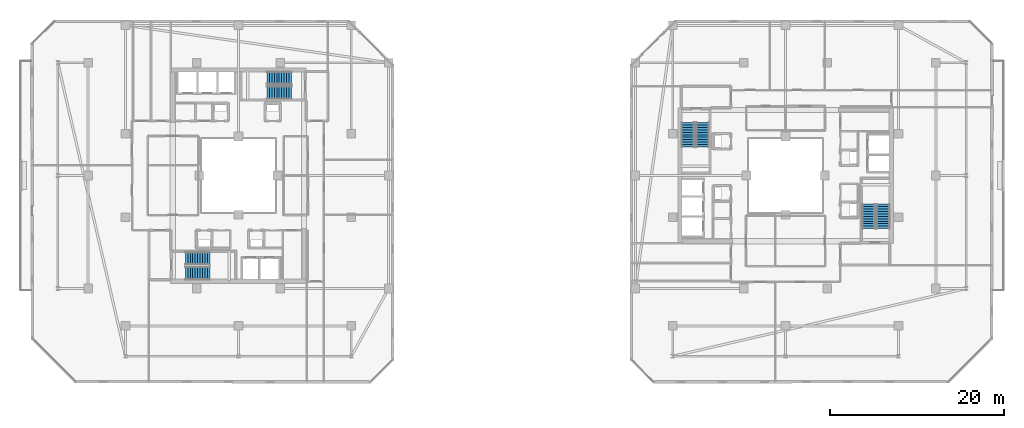
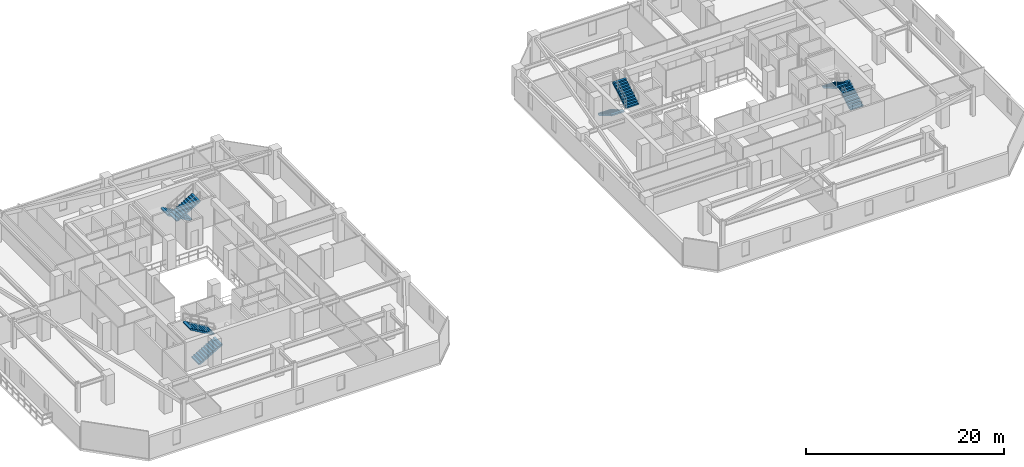
# One storey, part 26 of 32: 8 stair flights, 4 elements without a shape of their own.
"""IFC4 building model written with IfcOpenShell, lengths in metres."""

import ifcopenshell
import ifcopenshell.guid

model = None  # the IFC model being written
_history = None  # IfcOwnerHistory: only IFC2X3 demands one
_inside = {}  # id of a spatial element -> (the spatial element, [elements in it])
_under = {}  # id of a project, library or spatial element -> (it, [spatial elements below it])
_declared = {}  # id of a project -> (the project, [libraries it declares])
_typed = {}  # id of a type object -> (the type object, [elements of that type])
_made_of = {}  # id of a material, layer set ... -> (it, [elements and type objects made of it])


def new_model(schema):
    """Start an empty IFC model of exactly this schema.

    Asked for "IFC4X3", IfcOpenShell would pick the latest addendum, in which some entities
    have other attributes; the version numbers below select the first issue.
    IFC2X3 requires an IfcOwnerHistory on every rooted entity: one is made here for all.
    """
    global model, _history
    if schema == "IFC4X3":
        model = ifcopenshell.file(schema_version=(4, 3, 0, 0))
    else:
        model = ifcopenshell.file(schema=schema)
    _inside.clear()
    _under.clear()
    _declared.clear()
    _typed.clear()
    _made_of.clear()
    _history = None
    if model.schema == "IFC2X3":
        org = make("IfcOrganization", Name="unknown")
        user = make(
            "IfcPersonAndOrganization",
            ThePerson=make("IfcPerson", FamilyName="unknown"),
            TheOrganization=org,
        )
        app = make(
            "IfcApplication",
            ApplicationDeveloper=org,
            Version="unknown",
            ApplicationFullName="unknown",
            ApplicationIdentifier="unknown",
        )
        _history = make(
            "IfcOwnerHistory",
            OwningUser=user,
            OwningApplication=app,
            ChangeAction="ADDED",
            CreationDate=0,
        )
    return model


def make(cls, **values):
    """One entity of the class cls with the attributes given. An attribute that is None is left unset."""
    return model.create_entity(
        cls, **{name: value for name, value in values.items() if value is not None}
    )


def rooted(cls, **values):
    """An entity with a GlobalId (a new one), such as an element, a storey or a relation."""
    return make(cls, GlobalId=ifcopenshell.guid.new(), OwnerHistory=_history, **values)


def si_unit(unit_type, name, prefix=None):
    """IfcSIUnit, for example si_unit("LENGTHUNIT", "METRE", prefix="MILLI")."""
    return make("IfcSIUnit", UnitType=unit_type, Prefix=prefix, Name=name)


def assignment(units):
    """IfcUnitAssignment: the units of a project."""
    return None if units is None else make("IfcUnitAssignment", Units=units)


def point(xyz):
    """IfcCartesianPoint."""
    return None if xyz is None else make("IfcCartesianPoint", Coordinates=xyz)


def direction(xyz):
    """IfcDirection."""
    return None if xyz is None else make("IfcDirection", DirectionRatios=xyz)


def frame(location, z_axis=None, x_axis=None):
    """IfcAxis2Placement3D, a coordinate frame: its origin and axes. An axis left out is left unset."""
    return make(
        "IfcAxis2Placement3D",
        Location=point(location),
        Axis=direction(z_axis),
        RefDirection=direction(x_axis),
    )


def origin():
    """The frame at (0, 0, 0) with its axes left unset."""
    return frame((0.0, 0.0, 0.0))


def place(relative_to, where):
    """IfcLocalPlacement: puts the frame where relative to a parent placement (None: the world)."""
    return make(
        "IfcLocalPlacement", PlacementRelTo=relative_to, RelativePlacement=where
    )


def context(
    kind, dimensions, precision=None, world=None, true_north=None, identifier=None
):
    """IfcGeometricRepresentationContext, for example the 3D "Model" context."""
    return make(
        "IfcGeometricRepresentationContext",
        ContextIdentifier=identifier,
        ContextType=kind,
        CoordinateSpaceDimension=dimensions,
        Precision=precision,
        WorldCoordinateSystem=world,
        TrueNorth=true_north,
    )


def subcontext(parent, identifier, kind, view, scale=None):
    """IfcGeometricRepresentationSubContext, for example "Body" below "Model"."""
    return make(
        "IfcGeometricRepresentationSubContext",
        ContextIdentifier=identifier,
        ContextType=kind,
        ParentContext=parent,
        TargetScale=scale,
        TargetView=view,
    )


def project(units=None, contexts=None):
    """IfcProject with its units and contexts."""
    return rooted(
        "IfcProject",
        Name="project",
        RepresentationContexts=contexts,
        UnitsInContext=assignment(units),
    )


def spatial(cls, under=None, at=None, **own):
    """A site, building, storey or space (cls), placed at a placement, below another one or the project."""
    s = rooted(cls, ObjectPlacement=at, **own)
    if under is not None:
        _under.setdefault(under.id(), (under, []))[1].append(s)
    return s


def polyline(points):
    """IfcPolyline through the points."""
    return make("IfcPolyline", Points=[point(p) for p in points])


def outline(outer, holes=None, kind="AREA"):
    """IfcArbitraryClosedProfileDef: a profile drawn as a closed curve; with holes, ...WithVoids."""
    if holes is None:
        return make("IfcArbitraryClosedProfileDef", ProfileType=kind, OuterCurve=outer)
    return make(
        "IfcArbitraryProfileDefWithVoids",
        ProfileType=kind,
        OuterCurve=outer,
        InnerCurves=holes,
    )


def extrude(swept, where, along, depth):
    """IfcExtrudedAreaSolid: the profile swept, set in the frame where, extruded along a direction by depth."""
    return make(
        "IfcExtrudedAreaSolid",
        SweptArea=swept,
        Position=where,
        ExtrudedDirection=direction(along),
        Depth=depth,
    )


def shape(context_of_items, identifier, shape_type, items):
    """IfcShapeRepresentation: the items that make up one representation, for example the "Body"."""
    return make(
        "IfcShapeRepresentation",
        ContextOfItems=context_of_items,
        RepresentationIdentifier=identifier,
        RepresentationType=shape_type,
        Items=items,
    )


def material(Name=None, Category=None):
    """IfcMaterial."""
    return make("IfcMaterial", Name=Name, Category=Category)


def made_of(thing, what):
    """Note that an element or type object is made of a material, layer set ...; save() writes the relation."""
    if what is not None:
        _made_of.setdefault(what.id(), (what, []))[1].append(thing)
    return thing


def type_object(cls, material=None, **own):
    """A type object (cls), such as IfcWallType, which elements share."""
    return made_of(rooted(cls, **own), material)


def element(
    cls,
    number,
    at=None,
    inside=None,
    cuts=None,
    type_object=None,
    material=None,
    context=None,
    identifier="Body",
    shape_type=None,
    held_by="IfcProductDefinitionShape",
    body=None,
    shapes=None,
    **own,
):
    """One element of the class cls, such as IfcWall. Its Tag is "e" and its number.

    at: its placement. inside: the storey or other place that contains it. cuts: it is an
    opening in that element (IfcRelVoidsElement). A single representation is given by context,
    identifier, shape_type and body (its items); several are given by shapes. held_by: the class
    of the entity that holds the representations. save() writes the other relations.
    """
    e = rooted(cls, Tag="e%d" % number, ObjectPlacement=at, **own)
    if body is not None:
        shapes = [shape(context, identifier, shape_type, body)]
    if shapes is not None:
        e.Representation = make(held_by, Representations=shapes)
    if inside is not None:
        _inside.setdefault(inside.id(), (inside, []))[1].append(e)
    if cuts is not None:
        rooted(
            "IfcRelVoidsElement", RelatingBuildingElement=cuts, RelatedOpeningElement=e
        )
    if type_object is not None:
        _typed.setdefault(type_object.id(), (type_object, []))[1].append(e)
    return made_of(e, material)


def aggregate(whole, parts):
    """IfcRelAggregates: a whole, such as a stair, and the parts it consists of."""
    return rooted("IfcRelAggregates", RelatingObject=whole, RelatedObjects=parts)


def save(model, path):
    """Write the relations noted so far, then the file.

    IfcRelAggregates (storeys below a building ...), IfcRelContainedInSpatialStructure (elements
    in a storey), IfcRelDefinesByType, IfcRelAssociatesMaterial and IfcRelDeclares: one each for
    every whole, place, type object, material and project.
    """
    for whole, parts in _under.values():
        aggregate(whole, parts)
    for where, things in _inside.values():
        rooted(
            "IfcRelContainedInSpatialStructure",
            RelatedElements=things,
            RelatingStructure=where,
        )
    for kind, things in _typed.values():
        rooted("IfcRelDefinesByType", RelatedObjects=things, RelatingType=kind)
    for what, things in _made_of.values():
        rooted("IfcRelAssociatesMaterial", RelatedObjects=things, RelatingMaterial=what)
    for by, libraries in _declared.values():
        rooted("IfcRelDeclares", RelatingContext=by, RelatedDefinitions=libraries)
    model.write(path)


model = new_model("IFC4")

# Units and contexts
model_context = context("Model", 3, precision=1e-05, world=origin(), true_north=direction((0.0, 1.0)))
body_context = subcontext(model_context, "Body", "Model", "MODEL_VIEW")
ifc_project = project(units=[si_unit("LENGTHUNIT", "METRE"), si_unit("AREAUNIT", "SQUARE_METRE"), si_unit("VOLUMEUNIT", "CUBIC_METRE"), si_unit("PLANEANGLEUNIT", "RADIAN"), si_unit("MASSUNIT", "GRAM", prefix="KILO")], contexts=[model_context])

# Site, building, storey
site_placement = place(None, origin())
site = spatial("IfcSite", under=ifc_project, at=site_placement, CompositionType="ELEMENT")
building_placement = place(site_placement, origin())
building = spatial("IfcBuilding", under=site, at=building_placement, Name="Thornwick Lancets Civic Towers", CompositionType="ELEMENT")
storey_placement = place(building_placement, frame((0.0, 0.0, 243.89990234375)))
storey = spatial("IfcBuildingStorey", under=building, at=storey_placement, Name="L65", CompositionType="ELEMENT", Elevation=243.89990234375)

# Stair, stair flights
ifc_material = material(Name="Concrete C40/50", Category="concrete")
stair_type = type_object("IfcStairType", Name="STAIR_DL_3600", PredefinedType="HALF_TURN_STAIR", material=ifc_material)
stair_1_placement = place(storey_placement, origin())
stair_1 = element("IfcStair", 1, at=stair_1_placement, inside=storey, type_object=stair_type, Name="L65 Tower A South Exit Stair ST-A1", PredefinedType="HALF_TURN_STAIR")
stair_flight_type = type_object("IfcStairFlightType", Name="FLIGHT_3600", PredefinedType="STRAIGHT", material=ifc_material)
stair_flight_1_placement = place(storey_placement, frame((19.39990234375, 15.75, 0.0), z_axis=(0.0, 0.0, 1.0), x_axis=(1.0, 0.0, 0.0)))
stair_flight_1 = element("IfcStairFlight", 2, at=stair_flight_1_placement, type_object=stair_flight_type, Name="ST-A1 flight 1", NumberOfRisers=11, NumberOfTreads=10, PredefinedType="STRAIGHT", RiserHeight=0.163636364, TreadLength=0.28, context=body_context, shape_type="SweptSolid", body=[
    extrude(outline(polyline([(0.0, 0.0), (0.0, 0.16357421875), (0.280029296875, 0.16357421875), (0.280029296875, 0.327392578125), (0.56005859375, 0.327392578125), (0.56005859375, 0.490966796875), (0.840087890625, 0.490966796875), (0.840087890625, 0.654541015625), (1.1201171875, 0.654541015625), (1.1201171875, 0.818115234375), (1.39990234375, 0.818115234375), (1.39990234375, 0.98193359375), (1.679931640625, 0.98193359375), (1.679931640625, 1.1455078125), (1.9599609375, 1.1455078125), (1.9599609375, 1.30908203125), (2.239990234375, 1.30908203125), (2.239990234375, 1.47265625), (2.52001953125, 1.47265625), (2.52001953125, 1.636474609375), (2.800048828125, 1.636474609375), (2.800048828125, 1.800048828125), (2.800048828125, 1.462646484375), (0.297119140625, 0.0), (0.0, 0.0)])), frame((0.0, 0.75, 0.0), z_axis=(0.0, -1.0, 0.0), x_axis=(1.0, 0.0, 0.0)), (0.0, 0.0, 1.0), 1.5),
])
stair_flight_2_placement = place(storey_placement, frame((22.199951171875, 17.449951171875, 1.800048828125), z_axis=(0.0, 0.0, 1.0), x_axis=(-1.0, 0.0, 0.0)))
stair_flight_2 = element("IfcStairFlight", 3, at=stair_flight_2_placement, type_object=stair_flight_type, Name="ST-A1 flight 2", NumberOfRisers=11, NumberOfTreads=10, PredefinedType="STRAIGHT", RiserHeight=0.163636364, TreadLength=0.28, context=body_context, shape_type="SweptSolid", body=[
    extrude(outline(polyline([(0.0, 0.0), (0.0, 0.16357421875), (0.280029296875, 0.16357421875), (0.280029296875, 0.327392578125), (0.56005859375, 0.327392578125), (0.56005859375, 0.490966796875), (0.840087890625, 0.490966796875), (0.840087890625, 0.654541015625), (1.1201171875, 0.654541015625), (1.1201171875, 0.818115234375), (1.39990234375, 0.818115234375), (1.39990234375, 0.98193359375), (1.679931640625, 0.98193359375), (1.679931640625, 1.1455078125), (1.9599609375, 1.1455078125), (1.9599609375, 1.30908203125), (2.239990234375, 1.30908203125), (2.239990234375, 1.47265625), (2.52001953125, 1.47265625), (2.52001953125, 1.636474609375), (2.800048828125, 1.636474609375), (2.800048828125, 1.800048828125), (2.800048828125, 1.462646484375), (0.297119140625, 0.0), (0.0, 0.0)])), frame((0.0, 0.75, 0.0), z_axis=(0.0, -1.0, 0.0), x_axis=(1.0, 0.0, 0.0)), (0.0, 0.0, 1.0), 1.5),
])
aggregate(stair_1, [stair_flight_1, stair_flight_2])

stair_2_placement = place(storey_placement, origin())
stair_2 = element("IfcStair", 4, at=stair_2_placement, inside=storey, type_object=stair_type, Name="L65 Tower A North Exit Stair ST-A2", PredefinedType="HALF_TURN_STAIR")
stair_flight_3_placement = place(storey_placement, frame((31.60009765625, 38.25, 0.0), z_axis=(0.0, 0.0, 1.0), x_axis=(-1.0, 0.0, 0.0)))
stair_flight_3 = element("IfcStairFlight", 5, at=stair_flight_3_placement, type_object=stair_flight_type, Name="ST-A2 flight 1", NumberOfRisers=11, NumberOfTreads=10, PredefinedType="STRAIGHT", RiserHeight=0.163636364, TreadLength=0.28, context=body_context, shape_type="SweptSolid", body=[
    extrude(outline(polyline([(0.0, 0.0), (0.0, 0.16357421875), (0.280029296875, 0.16357421875), (0.280029296875, 0.327392578125), (0.56005859375, 0.327392578125), (0.56005859375, 0.490966796875), (0.840087890625, 0.490966796875), (0.840087890625, 0.654541015625), (1.1201171875, 0.654541015625), (1.1201171875, 0.818115234375), (1.39990234375, 0.818115234375), (1.39990234375, 0.98193359375), (1.679931640625, 0.98193359375), (1.679931640625, 1.1455078125), (1.9599609375, 1.1455078125), (1.9599609375, 1.30908203125), (2.239990234375, 1.30908203125), (2.239990234375, 1.47265625), (2.52001953125, 1.47265625), (2.52001953125, 1.636474609375), (2.800048828125, 1.636474609375), (2.800048828125, 1.800048828125), (2.800048828125, 1.462646484375), (0.297119140625, 0.0), (0.0, 0.0)])), frame((0.0, 0.75, 0.0), z_axis=(0.0, -1.0, 0.0), x_axis=(1.0, 0.0, 0.0)), (0.0, 0.0, 1.0), 1.5),
])
stair_flight_4_placement = place(storey_placement, frame((28.800048828125, 36.550048828125, 1.800048828125), z_axis=(0.0, 0.0, 1.0), x_axis=(1.0, 0.0, 0.0)))
stair_flight_4 = element("IfcStairFlight", 6, at=stair_flight_4_placement, type_object=stair_flight_type, Name="ST-A2 flight 2", NumberOfRisers=11, NumberOfTreads=10, PredefinedType="STRAIGHT", RiserHeight=0.163636364, TreadLength=0.28, context=body_context, shape_type="SweptSolid", body=[
    extrude(outline(polyline([(0.0, 0.0), (0.0, 0.16357421875), (0.280029296875, 0.16357421875), (0.280029296875, 0.327392578125), (0.56005859375, 0.327392578125), (0.56005859375, 0.490966796875), (0.840087890625, 0.490966796875), (0.840087890625, 0.654541015625), (1.1201171875, 0.654541015625), (1.1201171875, 0.818115234375), (1.39990234375, 0.818115234375), (1.39990234375, 0.98193359375), (1.679931640625, 0.98193359375), (1.679931640625, 1.1455078125), (1.9599609375, 1.1455078125), (1.9599609375, 1.30908203125), (2.239990234375, 1.30908203125), (2.239990234375, 1.47265625), (2.52001953125, 1.47265625), (2.52001953125, 1.636474609375), (2.800048828125, 1.636474609375), (2.800048828125, 1.800048828125), (2.800048828125, 1.462646484375), (0.297119140625, 0.0), (0.0, 0.0)])), frame((0.0, 0.75, 0.0), z_axis=(0.0, -1.0, 0.0), x_axis=(1.0, 0.0, 0.0)), (0.0, 0.0, 1.0), 1.5),
])
aggregate(stair_2, [stair_flight_3, stair_flight_4])

stair_3_placement = place(storey_placement, origin())
stair_3 = element("IfcStair", 7, at=stair_3_placement, inside=storey, type_object=stair_type, Name="L65 Tower B East Exit Stair ST-B1", PredefinedType="HALF_TURN_STAIR")
stair_flight_5_placement = place(storey_placement, frame((99.75, 20.89990234375, 0.0), z_axis=(0.0, 0.0, 1.0), x_axis=(0.0, 1.0, 0.0)))
stair_flight_5 = element("IfcStairFlight", 8, at=stair_flight_5_placement, type_object=stair_flight_type, Name="ST-B1 flight 1", NumberOfRisers=11, NumberOfTreads=10, PredefinedType="STRAIGHT", RiserHeight=0.163636364, TreadLength=0.28, context=body_context, shape_type="SweptSolid", body=[
    extrude(outline(polyline([(0.0, 0.0), (0.0, 0.16357421875), (0.280029296875, 0.16357421875), (0.280029296875, 0.327392578125), (0.56005859375, 0.327392578125), (0.56005859375, 0.490966796875), (0.840087890625, 0.490966796875), (0.840087890625, 0.654541015625), (1.1201171875, 0.654541015625), (1.1201171875, 0.818115234375), (1.39990234375, 0.818115234375), (1.39990234375, 0.98193359375), (1.679931640625, 0.98193359375), (1.679931640625, 1.1455078125), (1.9599609375, 1.1455078125), (1.9599609375, 1.30908203125), (2.239990234375, 1.30908203125), (2.239990234375, 1.47265625), (2.52001953125, 1.47265625), (2.52001953125, 1.636474609375), (2.800048828125, 1.636474609375), (2.800048828125, 1.800048828125), (2.800048828125, 1.462646484375), (0.297119140625, 0.0), (0.0, 0.0)])), frame((0.0, 0.75, 0.0), z_axis=(0.0, -1.0, 0.0), x_axis=(1.0, 0.0, 0.0)), (0.0, 0.0, 1.0), 1.5),
])
stair_flight_6_placement = place(storey_placement, frame((98.050048828125, 23.699951171875, 1.800048828125), z_axis=(0.0, 0.0, 1.0), x_axis=(0.0, -1.0, 0.0)))
stair_flight_6 = element("IfcStairFlight", 9, at=stair_flight_6_placement, type_object=stair_flight_type, Name="ST-B1 flight 2", NumberOfRisers=11, NumberOfTreads=10, PredefinedType="STRAIGHT", RiserHeight=0.163636364, TreadLength=0.28, context=body_context, shape_type="SweptSolid", body=[
    extrude(outline(polyline([(0.0, 0.0), (0.0, 0.16357421875), (0.280029296875, 0.16357421875), (0.280029296875, 0.327392578125), (0.56005859375, 0.327392578125), (0.56005859375, 0.490966796875), (0.840087890625, 0.490966796875), (0.840087890625, 0.654541015625), (1.1201171875, 0.654541015625), (1.1201171875, 0.818115234375), (1.39990234375, 0.818115234375), (1.39990234375, 0.98193359375), (1.679931640625, 0.98193359375), (1.679931640625, 1.1455078125), (1.9599609375, 1.1455078125), (1.9599609375, 1.30908203125), (2.239990234375, 1.30908203125), (2.239990234375, 1.47265625), (2.52001953125, 1.47265625), (2.52001953125, 1.636474609375), (2.800048828125, 1.636474609375), (2.800048828125, 1.800048828125), (2.800048828125, 1.462646484375), (0.297119140625, 0.0), (0.0, 0.0)])), frame((0.0, 0.75, 0.0), z_axis=(0.0, -1.0, 0.0), x_axis=(1.0, 0.0, 0.0)), (0.0, 0.0, 1.0), 1.5),
])
aggregate(stair_3, [stair_flight_5, stair_flight_6])

stair_4_placement = place(storey_placement, origin())
stair_4 = element("IfcStair", 10, at=stair_4_placement, inside=storey, type_object=stair_type, Name="L65 Tower B West Exit Stair ST-B2", PredefinedType="HALF_TURN_STAIR")
stair_flight_7_placement = place(storey_placement, frame((77.25, 33.10009765625, 0.0), z_axis=(0.0, 0.0, 1.0), x_axis=(0.0, -1.0, 0.0)))
stair_flight_7 = element("IfcStairFlight", 11, at=stair_flight_7_placement, type_object=stair_flight_type, Name="ST-B2 flight 1", NumberOfRisers=11, NumberOfTreads=10, PredefinedType="STRAIGHT", RiserHeight=0.163636364, TreadLength=0.28, context=body_context, shape_type="SweptSolid", body=[
    extrude(outline(polyline([(0.0, 0.0), (0.0, 0.16357421875), (0.280029296875, 0.16357421875), (0.280029296875, 0.327392578125), (0.56005859375, 0.327392578125), (0.56005859375, 0.490966796875), (0.840087890625, 0.490966796875), (0.840087890625, 0.654541015625), (1.1201171875, 0.654541015625), (1.1201171875, 0.818115234375), (1.39990234375, 0.818115234375), (1.39990234375, 0.98193359375), (1.679931640625, 0.98193359375), (1.679931640625, 1.1455078125), (1.9599609375, 1.1455078125), (1.9599609375, 1.30908203125), (2.239990234375, 1.30908203125), (2.239990234375, 1.47265625), (2.52001953125, 1.47265625), (2.52001953125, 1.636474609375), (2.800048828125, 1.636474609375), (2.800048828125, 1.800048828125), (2.800048828125, 1.462646484375), (0.297119140625, 0.0), (0.0, 0.0)])), frame((0.0, 0.75, 0.0), z_axis=(0.0, -1.0, 0.0), x_axis=(1.0, 0.0, 0.0)), (0.0, 0.0, 1.0), 1.5),
])
stair_flight_8_placement = place(storey_placement, frame((78.949951171875, 30.300048828125, 1.800048828125), z_axis=(0.0, 0.0, 1.0), x_axis=(0.0, 1.0, 0.0)))
stair_flight_8 = element("IfcStairFlight", 12, at=stair_flight_8_placement, type_object=stair_flight_type, Name="ST-B2 flight 2", NumberOfRisers=11, NumberOfTreads=10, PredefinedType="STRAIGHT", RiserHeight=0.163636364, TreadLength=0.28, context=body_context, shape_type="SweptSolid", body=[
    extrude(outline(polyline([(0.0, 0.0), (0.0, 0.16357421875), (0.280029296875, 0.16357421875), (0.280029296875, 0.327392578125), (0.56005859375, 0.327392578125), (0.56005859375, 0.490966796875), (0.840087890625, 0.490966796875), (0.840087890625, 0.654541015625), (1.1201171875, 0.654541015625), (1.1201171875, 0.818115234375), (1.39990234375, 0.818115234375), (1.39990234375, 0.98193359375), (1.679931640625, 0.98193359375), (1.679931640625, 1.1455078125), (1.9599609375, 1.1455078125), (1.9599609375, 1.30908203125), (2.239990234375, 1.30908203125), (2.239990234375, 1.47265625), (2.52001953125, 1.47265625), (2.52001953125, 1.636474609375), (2.800048828125, 1.636474609375), (2.800048828125, 1.800048828125), (2.800048828125, 1.462646484375), (0.297119140625, 0.0), (0.0, 0.0)])), frame((0.0, 0.75, 0.0), z_axis=(0.0, -1.0, 0.0), x_axis=(1.0, 0.0, 0.0)), (0.0, 0.0, 1.0), 1.5),
])
aggregate(stair_4, [stair_flight_7, stair_flight_8])

save(model, "model.ifc")
